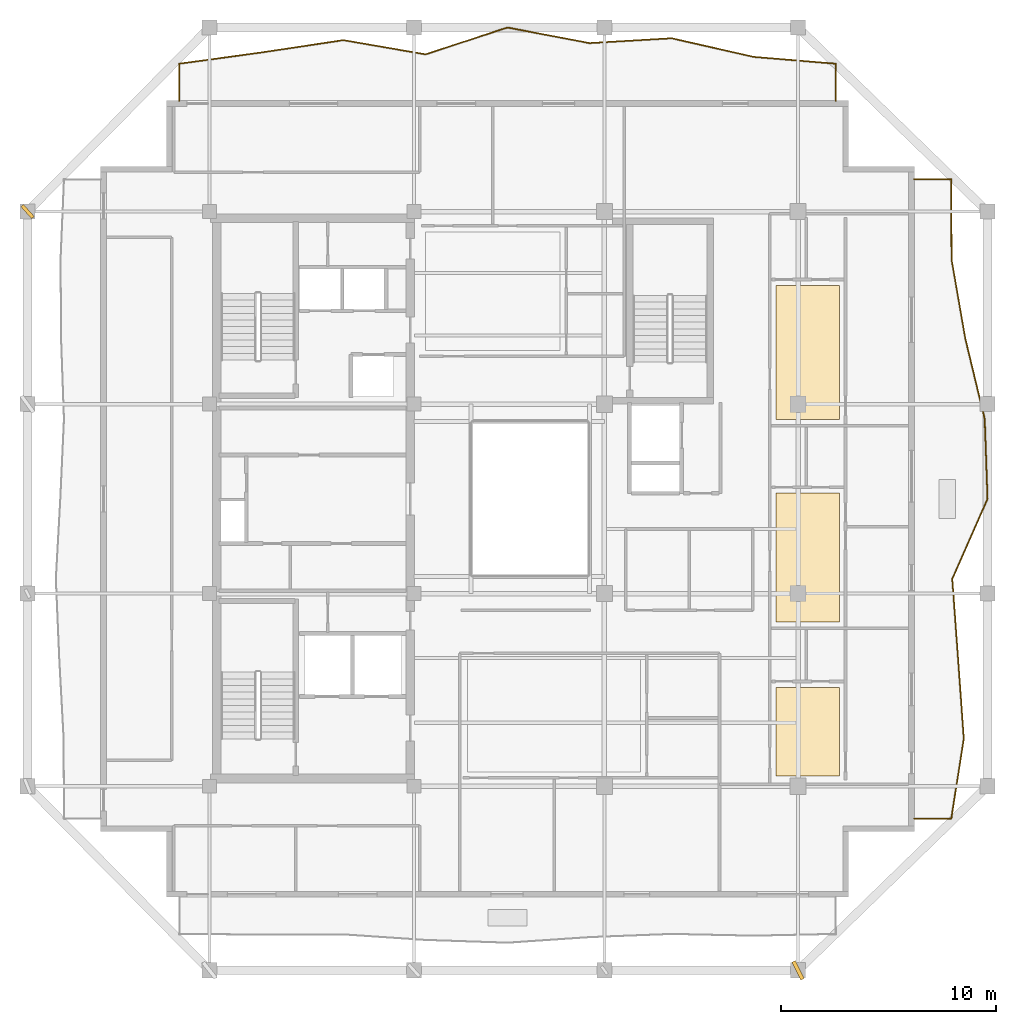
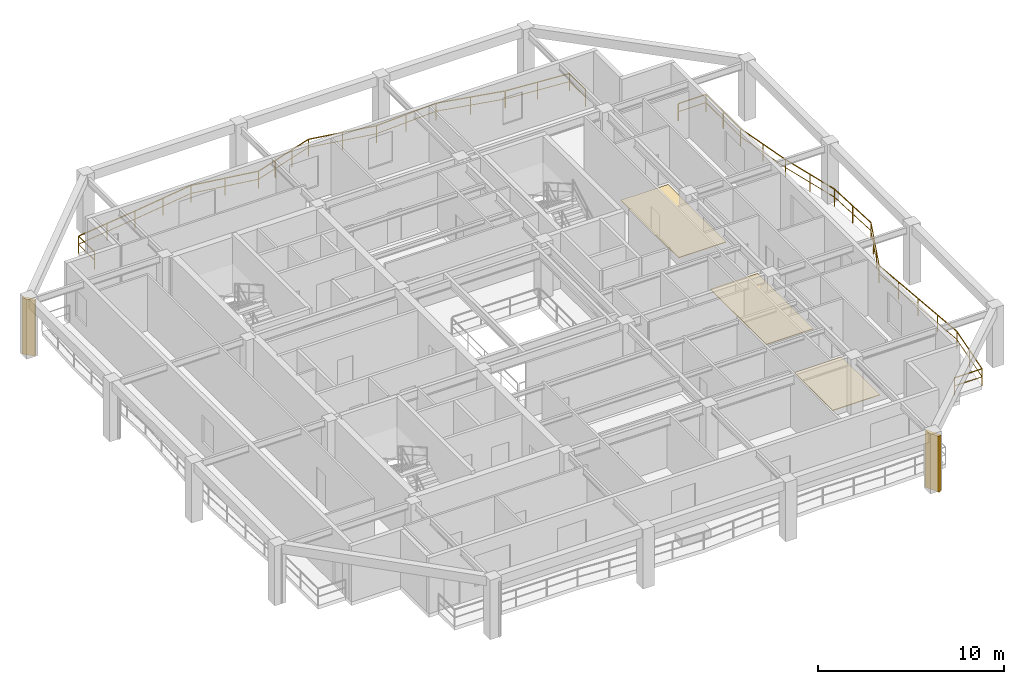
# One storey, part 9 of 10: 3 coverings, 2 railings, 2 shading devices.
"""IFC4 building model written with IfcOpenShell, lengths in metres."""

from ifc_helpers import new_model, si_unit, direction, frame, origin, origin_2d, place, context, subcontext, project, spatial, polyline, rectangle, outline, extrude, material, layer, layer_set, type_object, element, save


model = new_model("IFC4")

# Units and contexts
model_context = context("Model", 3, precision=1e-05, world=origin(), true_north=direction((0.0, 1.0)))
body_context = subcontext(model_context, "Body", "Model", "MODEL_VIEW")
ifc_project = project(units=[si_unit("LENGTHUNIT", "METRE"), si_unit("AREAUNIT", "SQUARE_METRE"), si_unit("VOLUMEUNIT", "CUBIC_METRE"), si_unit("PLANEANGLEUNIT", "RADIAN"), si_unit("MASSUNIT", "GRAM", prefix="KILO")], contexts=[model_context])

# Site, building, storey
site_placement = place(None, origin())
site = spatial("IfcSite", under=ifc_project, at=site_placement, CompositionType="ELEMENT")
building_placement = place(site_placement, origin())
building = spatial("IfcBuilding", under=site, at=building_placement, Name="Kundavana Baori Tower", CompositionType="ELEMENT")
storey_placement = place(building_placement, frame((0.0, 0.0, 288.199951171875)))
storey = spatial("IfcBuildingStorey", under=building, at=storey_placement, Name="L71", CompositionType="ELEMENT", Elevation=288.199951171875)

# Coverings
ifc_material_1 = material(Name="Honed Kota Stone and Terrazzo Flooring", Category="masonry")
ifc_layer = layer(ifc_material_1, 0.0400390625, Name="COV-FLR-TERR-40")
ifc_layer_set = layer_set([ifc_layer], Name="Honed Kota Stone and Terrazzo Flooring")
covering_type = type_object("IfcCoveringType", Name="COV-FLR-TERR-40", PredefinedType="FLOORING", material=ifc_layer_set)
covering_1_placement = place(storey_placement, origin())
element("IfcCovering", 1, at=covering_1_placement, inside=storey, type_object=covering_type, Name="L71 Room Finished Stone Flooring 3", PredefinedType="FLOORING", context=body_context, shape_type="SweptSolid", body=[
    extrude(outline(polyline([(41.780029296875, 15.72998046875), (44.719970703125, 15.72998046875), (44.719970703125, 19.840087890625), (41.780029296875, 19.840087890625), (41.780029296875, 15.72998046875)])), origin(), (0.0, 0.0, 1.0), 0.0400390625),
])
covering_2_placement = place(storey_placement, origin())
element("IfcCovering", 2, at=covering_2_placement, inside=storey, type_object=covering_type, Name="L71 Room Finished Stone Flooring 4", PredefinedType="FLOORING", context=body_context, shape_type="SweptSolid", body=[
    extrude(outline(polyline([(41.780029296875, 22.8798828125), (44.719970703125, 22.8798828125), (44.719970703125, 28.8701171875), (41.780029296875, 28.8701171875), (41.780029296875, 22.8798828125)])), origin(), (0.0, 0.0, 1.0), 0.0400390625),
])
covering_3_placement = place(storey_placement, origin())
element("IfcCovering", 3, at=covering_3_placement, inside=storey, type_object=covering_type, Name="L71 Room Finished Stone Flooring 5", PredefinedType="FLOORING", context=body_context, shape_type="SweptSolid", body=[
    extrude(outline(polyline([(41.780029296875, 32.280029296875), (44.719970703125, 32.280029296875), (44.719970703125, 38.510009765625), (41.780029296875, 38.510009765625), (41.780029296875, 32.280029296875)])), origin(), (0.0, 0.0, 1.0), 0.0400390625),
])

# Railings
ifc_material_2 = material(Name="Architectural Patinated Bronze Metalwork")
railing_type = type_object("IfcRailingType", Name="RL-BAL-1150", PredefinedType="BALUSTRADE", material=ifc_material_2)
railing_1_placement = place(storey_placement, frame((48.199951171875, 43.449951171875, 0.0)))
element("IfcRailing", 4, at=railing_1_placement, inside=storey, type_object=railing_type, Name="L71 Loggia Balcony Balustrade E", PredefinedType="BALUSTRADE", context=body_context, shape_type="SweptSolid", body=[
    extrude(rectangle(XDim=0.048095703125, YDim=0.048095703125, at=origin_2d()), frame((0.0, 0.0, 1.1259765625), z_axis=(1.0, 0.0, 0.0), x_axis=(0.0, 1.0, 0.0)), (0.0, 0.0, 1.0), 1.719970703125),
    extrude(rectangle(XDim=0.03125, YDim=0.03125, at=origin_2d()), frame((0.0, 0.0, 0.597900390625), z_axis=(1.0, 0.0, 0.0), x_axis=(0.0, 1.0, 0.0)), (0.0, 0.0, 1.0), 1.719970703125),
    extrude(rectangle(XDim=0.048095703125, YDim=0.048095703125, at=origin_2d()), frame((1.719970703125, 0.0, 1.1259765625), z_axis=(0.002696648969, -0.999996364036, 0.0), x_axis=(0.999996364036, 0.002696648969, 0.0)), (0.0, 0.0, 1.0), 3.7119140625),
    extrude(rectangle(XDim=0.03125, YDim=0.03125, at=origin_2d()), frame((1.719970703125, 0.0, 0.597900390625), z_axis=(0.002696648969, -0.999996364036, 0.0), x_axis=(0.999996364036, 0.002696648969, 0.0)), (0.0, 0.0, 1.0), 3.7119140625),
    extrude(rectangle(XDim=0.048095703125, YDim=0.048095703125, at=origin_2d()), frame((1.72998046875, -3.7119140625, 1.1259765625), z_axis=(0.171401316496, -0.985201293495, 0.0), x_axis=(0.985201293495, 0.171401316496, 0.0)), (0.0, 0.0, 1.0), 3.768798828125),
    extrude(rectangle(XDim=0.03125, YDim=0.03125, at=origin_2d()), frame((1.72998046875, -3.7119140625, 0.597900390625), z_axis=(0.171401316496, -0.985201293495, 0.0), x_axis=(0.985201293495, 0.171401316496, 0.0)), (0.0, 0.0, 1.0), 3.768798828125),
    extrude(rectangle(XDim=0.048095703125, YDim=0.048095703125, at=origin_2d()), frame((2.3759765625, -7.425048828125, 1.1259765625), z_axis=(0.234344748851, -0.972153557153, 0.0), x_axis=(0.972153557153, 0.234344748851, 0.0)), (0.0, 0.0, 1.0), 3.8193359375),
    extrude(rectangle(XDim=0.03125, YDim=0.03125, at=origin_2d()), frame((2.3759765625, -7.425048828125, 0.597900390625), z_axis=(0.234344748851, -0.972153557153, 0.0), x_axis=(0.972153557153, 0.234344748851, 0.0)), (0.0, 0.0, 1.0), 3.8193359375),
    extrude(rectangle(XDim=0.048095703125, YDim=0.048095703125, at=origin_2d()), frame((3.27099609375, -11.137939453125, 1.1259765625), z_axis=(0.034772434257, -0.99939525605, 0.0), x_axis=(0.99939525605, 0.034772434257, 0.0)), (0.0, 0.0, 1.0), 3.714111328125),
    extrude(rectangle(XDim=0.03125, YDim=0.03125, at=origin_2d()), frame((3.27099609375, -11.137939453125, 0.597900390625), z_axis=(0.034772434257, -0.99939525605, 0.0), x_axis=(0.99939525605, 0.034772434257, 0.0)), (0.0, 0.0, 1.0), 3.714111328125),
    extrude(rectangle(XDim=0.048095703125, YDim=0.048095703125, at=origin_2d()), frame((3.400146484375, -14.849853515625, 1.1259765625), z_axis=(-0.403283089955, -0.915075269776, 0.0), x_axis=(0.915075269776, -0.403283089955, 0.0)), (0.0, 0.0, 1.0), 4.056640625),
    extrude(rectangle(XDim=0.03125, YDim=0.03125, at=origin_2d()), frame((3.400146484375, -14.849853515625, 0.597900390625), z_axis=(-0.403283089955, -0.915075269776, 0.0), x_axis=(0.915075269776, -0.403283089955, 0.0)), (0.0, 0.0, 1.0), 4.056640625),
    extrude(rectangle(XDim=0.048095703125, YDim=0.048095703125, at=origin_2d()), frame((1.76416015625, -18.56201171875, 1.1259765625), z_axis=(0.072794262627, -0.997346978403, 0.0), x_axis=(0.997346978403, 0.072794262627, 0.0)), (0.0, 0.0, 1.0), 3.72265625),
    extrude(rectangle(XDim=0.03125, YDim=0.03125, at=origin_2d()), frame((1.76416015625, -18.56201171875, 0.597900390625), z_axis=(0.072794262627, -0.997346978403, 0.0), x_axis=(0.997346978403, 0.072794262627, 0.0)), (0.0, 0.0, 1.0), 3.72265625),
    extrude(rectangle(XDim=0.048095703125, YDim=0.048095703125, at=origin_2d()), frame((2.03515625, -22.27490234375, 1.1259765625), z_axis=(0.071158494842, -0.997465021247, 0.0), x_axis=(0.997465021247, 0.071158494842, 0.0)), (0.0, 0.0, 1.0), 3.72265625),
    extrude(rectangle(XDim=0.03125, YDim=0.03125, at=origin_2d()), frame((2.03515625, -22.27490234375, 0.597900390625), z_axis=(0.071158494842, -0.997465021247, 0.0), x_axis=(0.997465021247, 0.071158494842, 0.0)), (0.0, 0.0, 1.0), 3.72265625),
    extrude(rectangle(XDim=0.048095703125, YDim=0.048095703125, at=origin_2d()), frame((2.300048828125, -25.988037109375, 1.1259765625), z_axis=(-0.154400668259, -0.988008316585, 0.0), x_axis=(0.988008316585, -0.154400668259, 0.0)), (0.0, 0.0, 1.0), 3.757080078125),
    extrude(rectangle(XDim=0.03125, YDim=0.03125, at=origin_2d()), frame((2.300048828125, -25.988037109375, 0.597900390625), z_axis=(-0.154400668259, -0.988008316585, 0.0), x_axis=(0.988008316585, -0.154400668259, 0.0)), (0.0, 0.0, 1.0), 3.757080078125),
    extrude(rectangle(XDim=0.048095703125, YDim=0.048095703125, at=origin_2d()), frame((1.719970703125, -29.699951171875, 1.1259765625), z_axis=(-1.0, 0.0, 0.0), x_axis=(0.0, -1.0, 0.0)), (0.0, 0.0, 1.0), 1.719970703125),
    extrude(rectangle(XDim=0.03125, YDim=0.03125, at=origin_2d()), frame((1.719970703125, -29.699951171875, 0.597900390625), z_axis=(-1.0, 0.0, 0.0), x_axis=(0.0, -1.0, 0.0)), (0.0, 0.0, 1.0), 1.719970703125),
    extrude(rectangle(XDim=0.0419921875, YDim=0.0419921875, at=origin_2d()), origin(), (0.0, 0.0, 1.0), 1.101806640625),
    extrude(rectangle(XDim=0.0419921875, YDim=0.0419921875, at=origin_2d()), frame((1.719970703125, 0.0, 0.0)), (0.0, 0.0, 1.0), 1.101806640625),
    extrude(rectangle(XDim=0.0419921875, YDim=0.0419921875, at=origin_2d()), frame((1.72509765625, -1.85595703125, 0.0)), (0.0, 0.0, 1.0), 1.101806640625),
    extrude(rectangle(XDim=0.0419921875, YDim=0.0419921875, at=origin_2d()), frame((1.72998046875, -3.7119140625, 0.0)), (0.0, 0.0, 1.0), 1.101806640625),
    extrude(rectangle(XDim=0.0419921875, YDim=0.0419921875, at=origin_2d()), frame((2.052978515625, -5.568359375, 0.0)), (0.0, 0.0, 1.0), 1.101806640625),
    extrude(rectangle(XDim=0.0419921875, YDim=0.0419921875, at=origin_2d()), frame((2.3759765625, -7.425048828125, 0.0)), (0.0, 0.0, 1.0), 1.101806640625),
    extrude(rectangle(XDim=0.0419921875, YDim=0.0419921875, at=origin_2d()), frame((2.823486328125, -9.281494140625, 0.0)), (0.0, 0.0, 1.0), 1.101806640625),
    extrude(rectangle(XDim=0.0419921875, YDim=0.0419921875, at=origin_2d()), frame((3.27099609375, -11.137939453125, 0.0)), (0.0, 0.0, 1.0), 1.101806640625),
    extrude(rectangle(XDim=0.0419921875, YDim=0.0419921875, at=origin_2d()), frame((3.33544921875, -12.993896484375, 0.0)), (0.0, 0.0, 1.0), 1.101806640625),
    extrude(rectangle(XDim=0.0419921875, YDim=0.0419921875, at=origin_2d()), frame((3.400146484375, -14.849853515625, 0.0)), (0.0, 0.0, 1.0), 1.101806640625),
    extrude(rectangle(XDim=0.0419921875, YDim=0.0419921875, at=origin_2d()), frame((2.854736328125, -16.087158203125, 0.0)), (0.0, 0.0, 1.0), 1.101806640625),
    extrude(rectangle(XDim=0.0419921875, YDim=0.0419921875, at=origin_2d()), frame((2.3095703125, -17.32470703125, 0.0)), (0.0, 0.0, 1.0), 1.101806640625),
    extrude(rectangle(XDim=0.0419921875, YDim=0.0419921875, at=origin_2d()), frame((1.76416015625, -18.56201171875, 0.0)), (0.0, 0.0, 1.0), 1.101806640625),
    extrude(rectangle(XDim=0.0419921875, YDim=0.0419921875, at=origin_2d()), frame((1.899658203125, -20.41845703125, 0.0)), (0.0, 0.0, 1.0), 1.101806640625),
    extrude(rectangle(XDim=0.0419921875, YDim=0.0419921875, at=origin_2d()), frame((2.03515625, -22.27490234375, 0.0)), (0.0, 0.0, 1.0), 1.101806640625),
    extrude(rectangle(XDim=0.0419921875, YDim=0.0419921875, at=origin_2d()), frame((2.16748046875, -24.13134765625, 0.0)), (0.0, 0.0, 1.0), 1.101806640625),
    extrude(rectangle(XDim=0.0419921875, YDim=0.0419921875, at=origin_2d()), frame((2.300048828125, -25.988037109375, 0.0)), (0.0, 0.0, 1.0), 1.101806640625),
    extrude(rectangle(XDim=0.0419921875, YDim=0.0419921875, at=origin_2d()), frame((2.010009765625, -27.843994140625, 0.0)), (0.0, 0.0, 1.0), 1.101806640625),
    extrude(rectangle(XDim=0.0419921875, YDim=0.0419921875, at=origin_2d()), frame((1.719970703125, -29.699951171875, 0.0)), (0.0, 0.0, 1.0), 1.101806640625),
    extrude(rectangle(XDim=0.0419921875, YDim=0.0419921875, at=origin_2d()), frame((0.0, -29.699951171875, 0.0)), (0.0, 0.0, 1.0), 1.101806640625),
])
railing_2_placement = place(storey_placement, frame((14.050048828125, 47.10009765625, 0.0)))
element("IfcRailing", 5, at=railing_2_placement, inside=storey, type_object=railing_type, Name="L71 Loggia Balcony Balustrade N", PredefinedType="BALUSTRADE", context=body_context, shape_type="SweptSolid", body=[
    extrude(rectangle(XDim=0.048095703125, YDim=0.048095703125, at=origin_2d()), frame((0.0, 0.0, 1.1259765625), z_axis=(0.0, 1.0, 0.0), x_axis=(-1.0, 0.0, 0.0)), (0.0, 0.0, 1.0), 1.719970703125),
    extrude(rectangle(XDim=0.03125, YDim=0.03125, at=origin_2d()), frame((0.0, 0.0, 0.597900390625), z_axis=(0.0, 1.0, 0.0), x_axis=(-1.0, 0.0, 0.0)), (0.0, 0.0, 1.0), 1.719970703125),
    extrude(rectangle(XDim=0.048095703125, YDim=0.048095703125, at=origin_2d()), frame((0.0, 1.719970703125, 1.1259765625), z_axis=(0.990759777242, 0.135628403364, 0.0), x_axis=(-0.135628403364, 0.990759777242, 0.0)), (0.0, 0.0, 1.0), 3.8486328125),
    extrude(rectangle(XDim=0.03125, YDim=0.03125, at=origin_2d()), frame((0.0, 1.719970703125, 0.597900390625), z_axis=(0.990759777242, 0.135628403364, 0.0), x_axis=(-0.135628403364, 0.990759777242, 0.0)), (0.0, 0.0, 1.0), 3.8486328125),
    extrude(rectangle(XDim=0.048095703125, YDim=0.048095703125, at=origin_2d()), frame((3.81298828125, 2.241943359375, 1.1259765625), z_axis=(0.988853512519, 0.148891674647, 0.0), x_axis=(-0.148891674647, 0.988853512519, 0.0)), (0.0, 0.0, 1.0), 3.85498046875),
    extrude(rectangle(XDim=0.03125, YDim=0.03125, at=origin_2d()), frame((3.81298828125, 2.241943359375, 0.597900390625), z_axis=(0.988853512519, 0.148891674647, 0.0), x_axis=(-0.148891674647, 0.988853512519, 0.0)), (0.0, 0.0, 1.0), 3.85498046875),
    extrude(rectangle(XDim=0.048095703125, YDim=0.048095703125, at=origin_2d()), frame((7.625, 2.81591796875, 1.1259765625), z_axis=(0.985291308729, -0.170883109007, 0.0), x_axis=(0.170883109007, 0.985291308729, 0.0)), (0.0, 0.0, 1.0), 3.868896484375),
    extrude(rectangle(XDim=0.03125, YDim=0.03125, at=origin_2d()), frame((7.625, 2.81591796875, 0.597900390625), z_axis=(0.985291308729, -0.170883109007, 0.0), x_axis=(0.170883109007, 0.985291308729, 0.0)), (0.0, 0.0, 1.0), 3.868896484375),
    extrude(rectangle(XDim=0.048095703125, YDim=0.048095703125, at=origin_2d()), frame((11.43701171875, 2.15478515625, 1.1259765625), z_axis=(0.950601058119, 0.310415251403, 0.0), x_axis=(-0.310415251403, 0.950601058119, 0.0)), (0.0, 0.0, 1.0), 4.01123046875),
    extrude(rectangle(XDim=0.03125, YDim=0.03125, at=origin_2d()), frame((11.43701171875, 2.15478515625, 0.597900390625), z_axis=(0.950601058119, 0.310415251403, 0.0), x_axis=(-0.310415251403, 0.950601058119, 0.0)), (0.0, 0.0, 1.0), 4.01123046875),
    extrude(rectangle(XDim=0.048095703125, YDim=0.048095703125, at=origin_2d()), frame((15.25, 3.39990234375, 1.1259765625), z_axis=(0.982489701943, -0.186316895572, 0.0), x_axis=(0.186316895572, 0.982489701943, 0.0)), (0.0, 0.0, 1.0), 3.8798828125),
    extrude(rectangle(XDim=0.03125, YDim=0.03125, at=origin_2d()), frame((15.25, 3.39990234375, 0.597900390625), z_axis=(0.982489701943, -0.186316895572, 0.0), x_axis=(0.186316895572, 0.982489701943, 0.0)), (0.0, 0.0, 1.0), 3.8798828125),
    extrude(rectangle(XDim=0.048095703125, YDim=0.048095703125, at=origin_2d()), frame((19.06201171875, 2.677001953125, 1.1259765625), z_axis=(0.99825070962, 0.059122929082, 0.0), x_axis=(-0.059122929082, 0.99825070962, 0.0)), (0.0, 0.0, 1.0), 3.819580078125),
    extrude(rectangle(XDim=0.03125, YDim=0.03125, at=origin_2d()), frame((19.06201171875, 2.677001953125, 0.597900390625), z_axis=(0.99825070962, 0.059122929082, 0.0), x_axis=(-0.059122929082, 0.99825070962, 0.0)), (0.0, 0.0, 1.0), 3.819580078125),
    extrude(rectangle(XDim=0.048095703125, YDim=0.048095703125, at=origin_2d()), frame((22.875, 2.90283203125, 1.1259765625), z_axis=(0.975154936802, -0.221523924737, 0.0), x_axis=(0.221523924737, 0.975154936802, 0.0)), (0.0, 0.0, 1.0), 3.9091796875),
    extrude(rectangle(XDim=0.03125, YDim=0.03125, at=origin_2d()), frame((22.875, 2.90283203125, 0.597900390625), z_axis=(0.975154936802, -0.221523924737, 0.0), x_axis=(0.221523924737, 0.975154936802, 0.0)), (0.0, 0.0, 1.0), 3.9091796875),
    extrude(rectangle(XDim=0.048095703125, YDim=0.048095703125, at=origin_2d()), frame((26.68701171875, 2.036865234375, 1.1259765625), z_axis=(0.996564216083, -0.08282368757, 0.0), x_axis=(0.08282368757, 0.996564216083, 0.0)), (0.0, 0.0, 1.0), 3.826171875),
    extrude(rectangle(XDim=0.03125, YDim=0.03125, at=origin_2d()), frame((26.68701171875, 2.036865234375, 0.597900390625), z_axis=(0.996564216083, -0.08282368757, 0.0), x_axis=(0.08282368757, 0.996564216083, 0.0)), (0.0, 0.0, 1.0), 3.826171875),
    extrude(rectangle(XDim=0.048095703125, YDim=0.048095703125, at=origin_2d()), frame((30.5, 1.719970703125, 1.1259765625), z_axis=(0.0, -1.0, 0.0), x_axis=(1.0, 0.0, 0.0)), (0.0, 0.0, 1.0), 1.719970703125),
    extrude(rectangle(XDim=0.03125, YDim=0.03125, at=origin_2d()), frame((30.5, 1.719970703125, 0.597900390625), z_axis=(0.0, -1.0, 0.0), x_axis=(1.0, 0.0, 0.0)), (0.0, 0.0, 1.0), 1.719970703125),
    extrude(rectangle(XDim=0.0419921875, YDim=0.0419921875, at=origin_2d()), origin(), (0.0, 0.0, 1.0), 1.101806640625),
    extrude(rectangle(XDim=0.0419921875, YDim=0.0419921875, at=origin_2d()), frame((0.0, 1.719970703125, 0.0)), (0.0, 0.0, 1.0), 1.101806640625),
    extrude(rectangle(XDim=0.0419921875, YDim=0.0419921875, at=origin_2d()), frame((1.906494140625, 1.98095703125, 0.0)), (0.0, 0.0, 1.0), 1.101806640625),
    extrude(rectangle(XDim=0.0419921875, YDim=0.0419921875, at=origin_2d()), frame((3.81298828125, 2.241943359375, 0.0)), (0.0, 0.0, 1.0), 1.101806640625),
    extrude(rectangle(XDim=0.0419921875, YDim=0.0419921875, at=origin_2d()), frame((5.718994140625, 2.52880859375, 0.0)), (0.0, 0.0, 1.0), 1.101806640625),
    extrude(rectangle(XDim=0.0419921875, YDim=0.0419921875, at=origin_2d()), frame((7.625, 2.81591796875, 0.0)), (0.0, 0.0, 1.0), 1.101806640625),
    extrude(rectangle(XDim=0.0419921875, YDim=0.0419921875, at=origin_2d()), frame((9.531005859375, 2.4853515625, 0.0)), (0.0, 0.0, 1.0), 1.101806640625),
    extrude(rectangle(XDim=0.0419921875, YDim=0.0419921875, at=origin_2d()), frame((11.43701171875, 2.15478515625, 0.0)), (0.0, 0.0, 1.0), 1.101806640625),
    extrude(rectangle(XDim=0.0419921875, YDim=0.0419921875, at=origin_2d()), frame((12.7080078125, 2.56982421875, 0.0)), (0.0, 0.0, 1.0), 1.101806640625),
    extrude(rectangle(XDim=0.0419921875, YDim=0.0419921875, at=origin_2d()), frame((13.97900390625, 2.98486328125, 0.0)), (0.0, 0.0, 1.0), 1.101806640625),
    extrude(rectangle(XDim=0.0419921875, YDim=0.0419921875, at=origin_2d()), frame((15.25, 3.39990234375, 0.0)), (0.0, 0.0, 1.0), 1.101806640625),
    extrude(rectangle(XDim=0.0419921875, YDim=0.0419921875, at=origin_2d()), frame((17.156005859375, 3.03857421875, 0.0)), (0.0, 0.0, 1.0), 1.101806640625),
    extrude(rectangle(XDim=0.0419921875, YDim=0.0419921875, at=origin_2d()), frame((19.06201171875, 2.677001953125, 0.0)), (0.0, 0.0, 1.0), 1.101806640625),
    extrude(rectangle(XDim=0.0419921875, YDim=0.0419921875, at=origin_2d()), frame((20.968505859375, 2.7900390625, 0.0)), (0.0, 0.0, 1.0), 1.101806640625),
    extrude(rectangle(XDim=0.0419921875, YDim=0.0419921875, at=origin_2d()), frame((22.875, 2.90283203125, 0.0)), (0.0, 0.0, 1.0), 1.101806640625),
    extrude(rectangle(XDim=0.0419921875, YDim=0.0419921875, at=origin_2d()), frame((24.781005859375, 2.4697265625, 0.0)), (0.0, 0.0, 1.0), 1.101806640625),
    extrude(rectangle(XDim=0.0419921875, YDim=0.0419921875, at=origin_2d()), frame((26.68701171875, 2.036865234375, 0.0)), (0.0, 0.0, 1.0), 1.101806640625),
    extrude(rectangle(XDim=0.0419921875, YDim=0.0419921875, at=origin_2d()), frame((28.593505859375, 1.87841796875, 0.0)), (0.0, 0.0, 1.0), 1.101806640625),
    extrude(rectangle(XDim=0.0419921875, YDim=0.0419921875, at=origin_2d()), frame((30.5, 1.719970703125, 0.0)), (0.0, 0.0, 1.0), 1.101806640625),
    extrude(rectangle(XDim=0.0419921875, YDim=0.0419921875, at=origin_2d()), frame((30.5, 0.0, 0.0)), (0.0, 0.0, 1.0), 1.101806640625),
])

# Shading devices
ifc_material_3 = material(Name="Red-Buff Dholpur Sandstone Cladding on Concrete C40/50", Category="masonry")
shading_device_type_1 = type_object("IfcShadingDeviceType", Name="SHD-FIN-750", PredefinedType="JALOUSIE", material=ifc_material_3)
shading_device_1_placement = place(storey_placement, frame((7.0, 41.949951171875, 0.0), z_axis=(0.0, 0.0, 1.0), x_axis=(0.744194976126, 0.66796245217, 0.0)))
element("IfcShadingDevice", 6, at=shading_device_1_placement, inside=storey, type_object=shading_device_type_1, Name="L71 Sweeping Dholpur Sandstone Facade Fin 8", PredefinedType="JALOUSIE", context=body_context, shape_type="SweptSolid", body=[
    extrude(rectangle(XDim=0.159912109375, YDim=0.75, at=origin_2d()), origin(), (0.0, 0.0, 1.0), 3.659912109375),
])
ifc_material_4 = material(Name="Red-Buff Dholpur Sandstone Cladding on Concrete C40/50", Category="masonry")
shading_device_type_2 = type_object("IfcShadingDeviceType", Name="SHD-FIN-920", PredefinedType="JALOUSIE", material=ifc_material_4)
shading_device_2_placement = place(storey_placement, frame((42.800048828125, 6.699951171875, 0.0), z_axis=(0.0, 0.0, 1.0), x_axis=(0.894466613728, 0.447134741355, 0.0)))
element("IfcShadingDevice", 7, at=shading_device_2_placement, inside=storey, type_object=shading_device_type_2, Name="L71 Sweeping Dholpur Sandstone Facade Fin 4", PredefinedType="JALOUSIE", context=body_context, shape_type="SweptSolid", body=[
    extrude(rectangle(XDim=0.179931640625, YDim=0.919921875, at=origin_2d()), origin(), (0.0, 0.0, 1.0), 3.659912109375),
])

save(model, "model.ifc")
